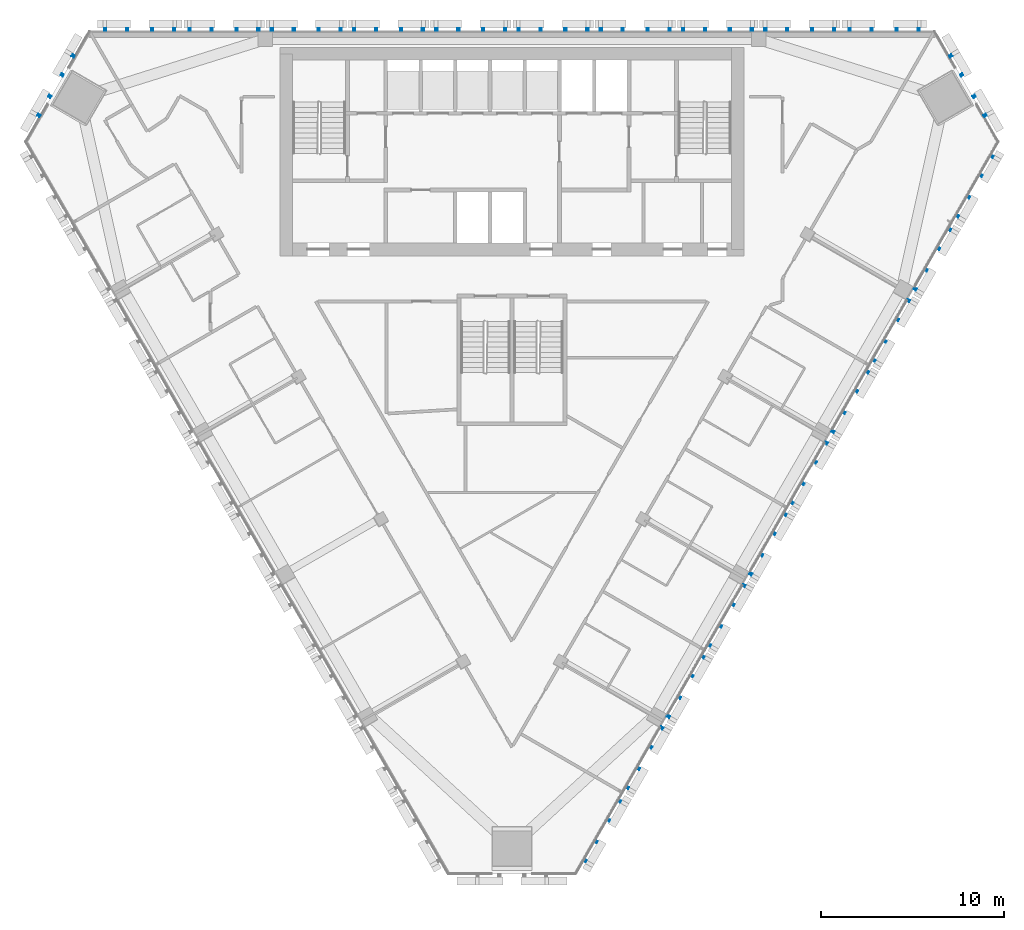
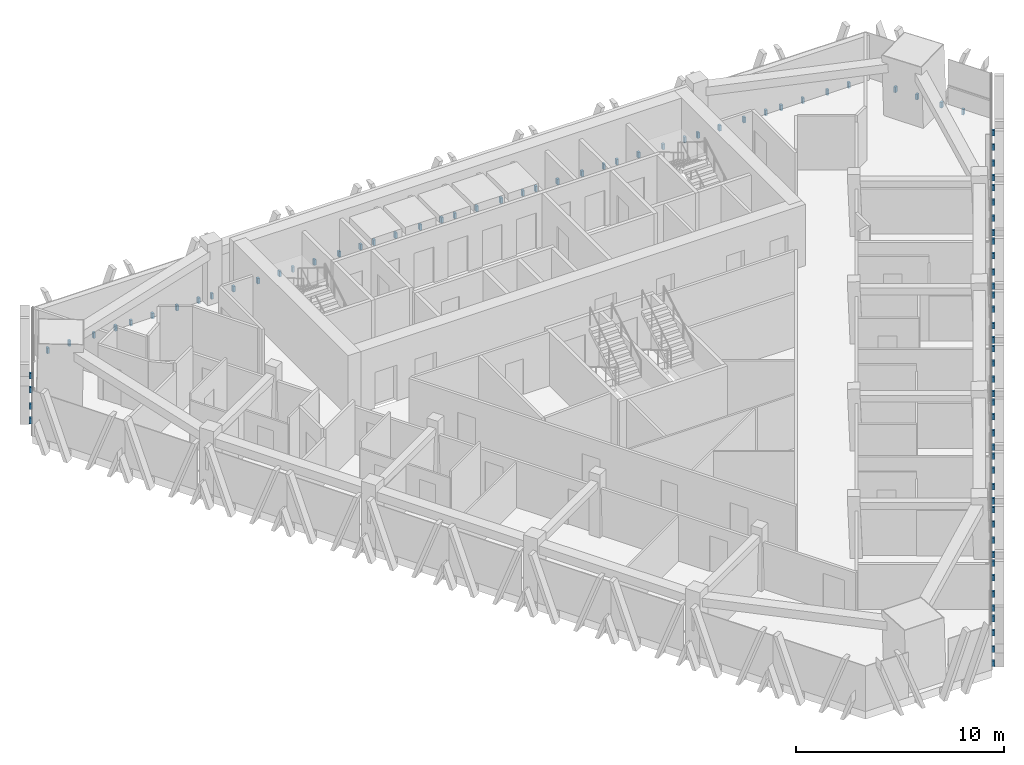
# One storey, part 13 of 16: 4 discrete accessories.
"""IFC4 building model written with IfcOpenShell, lengths in metres."""

from ifc_helpers import new_model, si_unit, direction, frame, origin, place, context, subcontext, project, spatial, polyline, outline, extrude, source, transform, mapped, material, type_object, element, save


model = new_model("IFC4")

# Units and contexts
model_context = context("Model", 3, precision=1e-05, world=origin(), true_north=direction((0.0, 1.0)))
body_context = subcontext(model_context, "Body", "Model", "MODEL_VIEW")
ifc_project = project(units=[si_unit("LENGTHUNIT", "METRE"), si_unit("AREAUNIT", "SQUARE_METRE"), si_unit("VOLUMEUNIT", "CUBIC_METRE"), si_unit("PLANEANGLEUNIT", "RADIAN"), si_unit("MASSUNIT", "GRAM", prefix="KILO")], contexts=[model_context])

# Site, building, storey
site_placement = place(None, origin())
site = spatial("IfcSite", under=ifc_project, at=site_placement, CompositionType="ELEMENT")
building_placement = place(site_placement, origin())
building = spatial("IfcBuilding", under=site, at=building_placement, Name="Altiplano Prism Tower", CompositionType="ELEMENT")
storey_placement = place(building_placement, frame((0.0, 0.0, 167.39990234375)))
storey = spatial("IfcBuildingStorey", under=building, at=storey_placement, Name="L43", CompositionType="ELEMENT", Elevation=167.39990234375)

# Discrete accessories
ifc_material = material(Name="Stainless steel", Category="steel")
discrete_accessory_type = type_object("IfcDiscreteAccessoryType", Name="Stone fin fixing prongs", PredefinedType="USERDEFINED", material=ifc_material)
shared_shape_1 = source(origin(), body_context, "Body", "SweptSolid", [
    extrude(outline(polyline([(-1.94189453125, 0.06005859375), (-1.822021484375, 0.06005859375), (-1.822021484375, 0.389892578125), (-1.94189453125, 0.389892578125), (-1.94189453125, 0.06005859375)])), frame((0.0, 0.0, 0.0), z_axis=(0.0, -1.0, 0.0), x_axis=(1.0, 0.0, 0.0)), (0.0, 0.0, 1.0), 0.14990234375),
    extrude(outline(polyline([(-0.741943359375, 0.06005859375), (-0.621826171875, 0.06005859375), (-0.621826171875, 0.389892578125), (-0.741943359375, 0.389892578125), (-0.741943359375, 0.06005859375)])), frame((0.0, 0.0, 0.0), z_axis=(0.0, -1.0, 0.0), x_axis=(1.0, 0.0, 0.0)), (0.0, 0.0, 1.0), 0.14990234375),
    extrude(outline(polyline([(0.621826171875, 0.06005859375), (0.741943359375, 0.06005859375), (0.741943359375, 0.389892578125), (0.621826171875, 0.389892578125), (0.621826171875, 0.06005859375)])), frame((0.0, 0.0, 0.0), z_axis=(0.0, -1.0, 0.0), x_axis=(1.0, 0.0, 0.0)), (0.0, 0.0, 1.0), 0.14990234375),
    extrude(outline(polyline([(1.822021484375, 0.06005859375), (1.94189453125, 0.06005859375), (1.94189453125, 0.389892578125), (1.822021484375, 0.389892578125), (1.822021484375, 0.06005859375)])), frame((0.0, 0.0, 0.0), z_axis=(0.0, -1.0, 0.0), x_axis=(1.0, 0.0, 0.0)), (0.0, 0.0, 1.0), 0.14990234375),
])
shared_shape_2 = source(origin(), body_context, "Body", "SweptSolid", [
    extrude(outline(polyline([(-1.94189453125, 0.06005859375), (-1.822021484375, 0.06005859375), (-1.822021484375, 0.389892578125), (-1.94189453125, 0.389892578125), (-1.94189453125, 0.06005859375)])), frame((0.0, 0.0, 0.0), z_axis=(0.0, -1.0, 0.0), x_axis=(1.0, 0.0, 0.0)), (0.0, 0.0, 1.0), 0.14990234375),
    extrude(outline(polyline([(-0.741943359375, 0.06005859375), (-0.621826171875, 0.06005859375), (-0.621826171875, 0.389892578125), (-0.741943359375, 0.389892578125), (-0.741943359375, 0.06005859375)])), frame((0.0, 0.0, 0.0), z_axis=(0.0, -1.0, 0.0), x_axis=(1.0, 0.0, 0.0)), (0.0, 0.0, 1.0), 0.14990234375),
    extrude(outline(polyline([(0.621826171875, 0.06005859375), (0.741943359375, 0.06005859375), (0.741943359375, 0.389892578125), (0.621826171875, 0.389892578125), (0.621826171875, 0.06005859375)])), frame((0.0, 0.0, 0.0), z_axis=(0.0, -1.0, 0.0), x_axis=(1.0, 0.0, 0.0)), (0.0, 0.0, 1.0), 0.14990234375),
    extrude(outline(polyline([(1.822021484375, 0.06005859375), (1.94189453125, 0.06005859375), (1.94189453125, 0.389892578125), (1.822021484375, 0.389892578125), (1.822021484375, 0.06005859375)])), frame((0.0, 0.0, 0.0), z_axis=(0.0, -1.0, 0.0), x_axis=(1.0, 0.0, 0.0)), (0.0, 0.0, 1.0), 0.14990234375),
])
discrete_accessory_1_placement = place(storey_placement, origin())
element("IfcDiscreteAccessory", 1, at=discrete_accessory_1_placement, inside=storey, type_object=discrete_accessory_type, Name="Fin fixings L43 north face", ObjectType="BRACKET", PredefinedType="USERDEFINED", context=body_context, shape_type="MappedRepresentation", body=[
    mapped(shared_shape_1, transform((105.367919921875, 105.0, -0.449951171875), x_axis=(-1.0, 0.0, 0.0), y_axis=(0.0, -1.0, 0.0), z_axis=(0.0, 0.0, 1.0))),
    mapped(shared_shape_2, transform((100.75, 105.0, -0.449951171875), x_axis=(-1.0, 0.0, 0.0), y_axis=(0.0, -1.0, 0.0), z_axis=(0.0, 0.0, 1.0))),
    mapped(shared_shape_2, transform((96.25, 105.0, -0.449951171875), x_axis=(-1.0, 0.0, 0.0), y_axis=(0.0, -1.0, 0.0), z_axis=(0.0, 0.0, 1.0))),
    mapped(shared_shape_2, transform((91.75, 105.0, -0.449951171875), x_axis=(-1.0, 0.0, 0.0), y_axis=(0.0, -1.0, 0.0), z_axis=(0.0, 0.0, 1.0))),
    mapped(shared_shape_2, transform((87.25, 105.0, -0.449951171875), x_axis=(-1.0, 0.0, 0.0), y_axis=(0.0, -1.0, 0.0), z_axis=(0.0, 0.0, 1.0))),
    mapped(shared_shape_2, transform((82.75, 105.0, -0.449951171875), x_axis=(-1.0, 0.0, 0.0), y_axis=(0.0, -1.0, 0.0), z_axis=(0.0, 0.0, 1.0))),
    mapped(shared_shape_2, transform((78.25, 105.0, -0.449951171875), x_axis=(-1.0, 0.0, 0.0), y_axis=(0.0, -1.0, 0.0), z_axis=(0.0, 0.0, 1.0))),
    mapped(shared_shape_2, transform((73.75, 105.0, -0.449951171875), x_axis=(-1.0, 0.0, 0.0), y_axis=(0.0, -1.0, 0.0), z_axis=(0.0, 0.0, 1.0))),
    mapped(shared_shape_2, transform((69.25, 105.0, -0.449951171875), x_axis=(-1.0, 0.0, 0.0), y_axis=(0.0, -1.0, 0.0), z_axis=(0.0, 0.0, 1.0))),
    mapped(shared_shape_1, transform((64.632080078125, 105.0, -0.449951171875), x_axis=(-1.0, 0.0, 0.0), y_axis=(0.0, -1.0, 0.0), z_axis=(0.0, 0.0, 1.0))),
])
discrete_accessory_2_placement = place(storey_placement, origin())
element("IfcDiscreteAccessory", 2, at=discrete_accessory_2_placement, inside=storey, type_object=discrete_accessory_type, Name="Fin fixings L43 south-east face", ObjectType="BRACKET", PredefinedType="USERDEFINED", context=body_context, shape_type="MappedRepresentation", body=[
    mapped(shared_shape_1, transform((89.883056640625, 61.26416015625, -0.449951171875), x_axis=(0.499999990992, 0.866025408985, 0.0), y_axis=(-0.866025408985, 0.499999990992, 0.0), z_axis=(0.0, 0.0, 1.0))),
    mapped(shared_shape_2, transform((92.19189453125, 65.263427734375, -0.449951171875), x_axis=(0.499999990992, 0.866025408985, 0.0), y_axis=(-0.866025408985, 0.499999990992, 0.0), z_axis=(0.0, 0.0, 1.0))),
    mapped(shared_shape_2, transform((94.44189453125, 69.160400390625, -0.449951171875), x_axis=(0.499999990992, 0.866025408985, 0.0), y_axis=(-0.866025408985, 0.499999990992, 0.0), z_axis=(0.0, 0.0, 1.0))),
    mapped(shared_shape_2, transform((96.69189453125, 73.0576171875, -0.449951171875), x_axis=(0.499999990992, 0.866025408985, 0.0), y_axis=(-0.866025408985, 0.499999990992, 0.0), z_axis=(0.0, 0.0, 1.0))),
    mapped(shared_shape_2, transform((98.94189453125, 76.954833984375, -0.449951171875), x_axis=(0.499999990992, 0.866025408985, 0.0), y_axis=(-0.866025408985, 0.499999990992, 0.0), z_axis=(0.0, 0.0, 1.0))),
    mapped(shared_shape_2, transform((101.19189453125, 80.851806640625, -0.449951171875), x_axis=(0.499999990992, 0.866025408985, 0.0), y_axis=(-0.866025408985, 0.499999990992, 0.0), z_axis=(0.0, 0.0, 1.0))),
    mapped(shared_shape_2, transform((103.44189453125, 84.7490234375, -0.449951171875), x_axis=(0.499999990992, 0.866025408985, 0.0), y_axis=(-0.866025408985, 0.499999990992, 0.0), z_axis=(0.0, 0.0, 1.0))),
    mapped(shared_shape_2, transform((105.69189453125, 88.64599609375, -0.449951171875), x_axis=(0.499999990992, 0.866025408985, 0.0), y_axis=(-0.866025408985, 0.499999990992, 0.0), z_axis=(0.0, 0.0, 1.0))),
    mapped(shared_shape_2, transform((107.94189453125, 92.543212890625, -0.449951171875), x_axis=(0.499999990992, 0.866025408985, 0.0), y_axis=(-0.866025408985, 0.499999990992, 0.0), z_axis=(0.0, 0.0, 1.0))),
    mapped(shared_shape_1, transform((110.2509765625, 96.54248046875, -0.449951171875), x_axis=(0.499999990992, 0.866025408985, 0.0), y_axis=(-0.866025408985, 0.499999990992, 0.0), z_axis=(0.0, 0.0, 1.0))),
])
shared_shape_3 = source(origin(), body_context, "Body", "SweptSolid", [
    extrude(outline(polyline([(-1.94189453125, 0.06005859375), (-1.822021484375, 0.06005859375), (-1.822021484375, 0.389892578125), (-1.94189453125, 0.389892578125), (-1.94189453125, 0.06005859375)])), frame((0.0, 0.0, 0.0), z_axis=(0.0, -1.0, 0.0), x_axis=(1.0, 0.0, 0.0)), (0.0, 0.0, 1.0), 0.14990234375),
    extrude(outline(polyline([(-0.741943359375, 0.06005859375), (-0.621826171875, 0.06005859375), (-0.621826171875, 0.389892578125), (-0.741943359375, 0.389892578125), (-0.741943359375, 0.06005859375)])), frame((0.0, 0.0, 0.0), z_axis=(0.0, -1.0, 0.0), x_axis=(1.0, 0.0, 0.0)), (0.0, 0.0, 1.0), 0.14990234375),
    extrude(outline(polyline([(0.621826171875, 0.06005859375), (0.741943359375, 0.06005859375), (0.741943359375, 0.389892578125), (0.621826171875, 0.389892578125), (0.621826171875, 0.06005859375)])), frame((0.0, 0.0, 0.0), z_axis=(0.0, -1.0, 0.0), x_axis=(1.0, 0.0, 0.0)), (0.0, 0.0, 1.0), 0.14990234375),
    extrude(outline(polyline([(1.822021484375, 0.06005859375), (1.94189453125, 0.06005859375), (1.94189453125, 0.389892578125), (1.822021484375, 0.389892578125), (1.822021484375, 0.06005859375)])), frame((0.0, 0.0, 0.0), z_axis=(0.0, -1.0, 0.0), x_axis=(1.0, 0.0, 0.0)), (0.0, 0.0, 1.0), 0.14990234375),
])
discrete_accessory_3_placement = place(storey_placement, origin())
element("IfcDiscreteAccessory", 3, at=discrete_accessory_3_placement, inside=storey, type_object=discrete_accessory_type, Name="Fin fixings L43 north-west chamfer", ObjectType="BRACKET", PredefinedType="USERDEFINED", context=body_context, shape_type="MappedRepresentation", body=[
    mapped(shared_shape_3, transform((60.11474609375, 101.9697265625, -0.449951171875), x_axis=(-0.49999990914, -0.866025456242, 0.0), y_axis=(0.866025456242, -0.49999990914, 0.0), z_axis=(0.0, 0.0, 1.0))),
])
discrete_accessory_4_placement = place(storey_placement, origin())
element("IfcDiscreteAccessory", 4, at=discrete_accessory_4_placement, inside=storey, type_object=discrete_accessory_type, Name="Fin fixings L43 north-east chamfer", ObjectType="BRACKET", PredefinedType="USERDEFINED", context=body_context, shape_type="MappedRepresentation", body=[
    mapped(shared_shape_3, transform((109.88525390625, 101.9697265625, -0.449951171875), x_axis=(-0.49999990914, 0.866025456242, 0.0), y_axis=(-0.866025456242, -0.49999990914, 0.0), z_axis=(0.0, 0.0, 1.0))),
])

save(model, "model.ifc")
